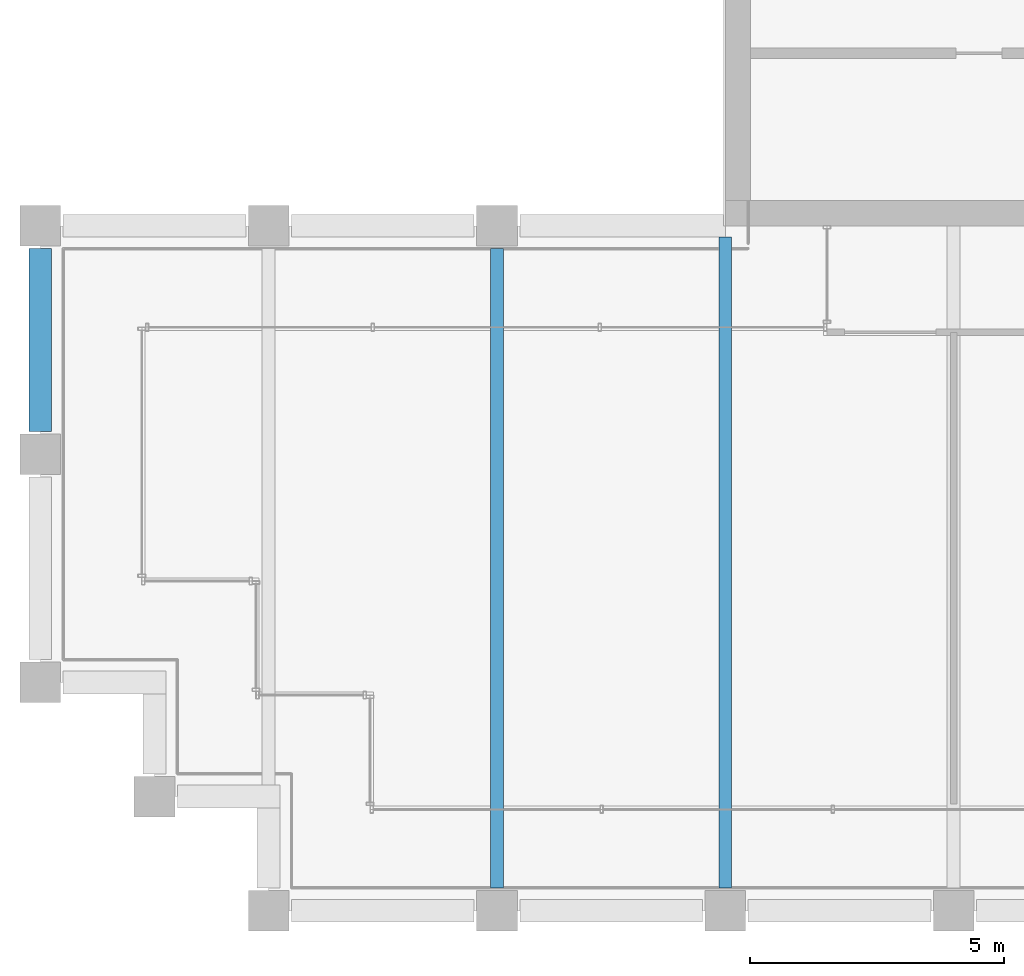
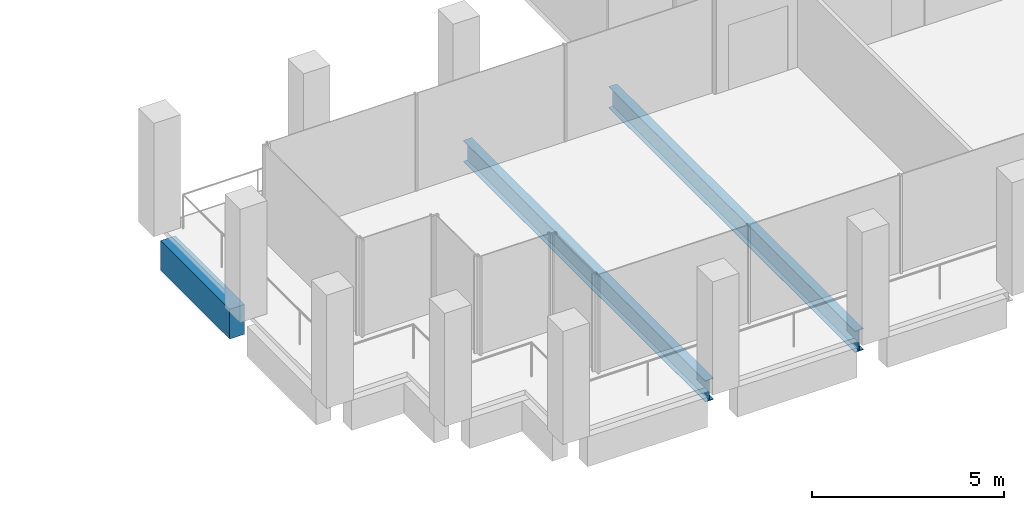
# One storey, part 4 of 40: 3 beams.
"""IFC4 building model written with IfcOpenShell, lengths in metres."""

from ifc_helpers import new_model, si_unit, direction, frame, origin, origin_2d, place, context, subcontext, project, spatial, rectangle, i_section, extrude, material, material_profile, profile_set, type_object, element, save


model = new_model("IFC4")

# Units and contexts
model_context = context("Model", 3, precision=1e-05, world=origin(), true_north=direction((0.0, 1.0)))
body_context = subcontext(model_context, "Body", "Model", "MODEL_VIEW")
ifc_project = project(units=[si_unit("LENGTHUNIT", "METRE"), si_unit("AREAUNIT", "SQUARE_METRE"), si_unit("VOLUMEUNIT", "CUBIC_METRE"), si_unit("PLANEANGLEUNIT", "RADIAN"), si_unit("MASSUNIT", "GRAM", prefix="KILO")], contexts=[model_context])

# Site, building, storey
site_placement = place(None, origin())
site = spatial("IfcSite", under=ifc_project, at=site_placement, CompositionType="ELEMENT")
building_placement = place(site_placement, origin())
building = spatial("IfcBuilding", under=site, at=building_placement, Name="Altepetl Exchange Towers", CompositionType="ELEMENT")
storey_placement = place(building_placement, frame((0.0, 0.0, 195.60009765625)))
storey = spatial("IfcBuildingStorey", under=building, at=storey_placement, Name="L49", CompositionType="ELEMENT", Elevation=195.60009765625)

# Beams
ifc_material_1 = material(Name="Steel S355", Category="steel")
ifc_material_profile_1 = material_profile(ifc_material_1, i_section(OverallWidth=0.2529296875, OverallDepth=0.677978515625, WebThickness=0.01171875, FlangeThickness=0.016357421875, at=origin_2d()), Name="W27X84")
ifc_profile_set_1 = profile_set([ifc_material_profile_1], Name="Steel S355")
beam_type_1 = type_object("IfcBeamType", Name="Floor beam W27X84", PredefinedType="BEAM", material=ifc_profile_set_1)
beam_1_placement = place(storey_placement, frame((36.0, 27.449951171875, -0.489013671875), z_axis=(0.0, 1.0, 0.0), x_axis=(-1.0, 0.0, 0.0)))
element("IfcBeam", 1, at=beam_1_placement, inside=storey, type_object=beam_type_1, Name="bm:A:L49:013", PredefinedType="BEAM", context=body_context, shape_type="SweptSolid", body=[
    extrude(i_section(OverallWidth=0.2529296875, OverallDepth=0.677978515625, WebThickness=0.01171875, FlangeThickness=0.016357421875, at=origin_2d()), origin(), (0.0, 0.0, 1.0), 12.60009765625),
])
beam_2_placement = place(storey_placement, frame((40.5, 27.449951171875, -0.489013671875), z_axis=(0.0, 1.0, 0.0), x_axis=(-1.0, 0.0, 0.0)))
element("IfcBeam", 2, at=beam_2_placement, inside=storey, type_object=beam_type_1, Name="bm:A:L49:014", PredefinedType="BEAM", context=body_context, shape_type="SweptSolid", body=[
    extrude(i_section(OverallWidth=0.2529296875, OverallDepth=0.677978515625, WebThickness=0.01171875, FlangeThickness=0.016357421875, at=origin_2d()), origin(), (0.0, 0.0, 1.0), 12.824951171875),
])
ifc_material_2 = material(Name="Concrete C50/60 precast with cantera blanca facing", Category="concrete")
ifc_material_profile_2 = material_profile(ifc_material_2, rectangle(XDim=0.449951171875, YDim=0.949951171875, at=origin_2d()), Name="450 x 950")
ifc_profile_set_2 = profile_set([ifc_material_profile_2], Name="Concrete C50/60 precast with cantera blanca facing")
beam_type_2 = type_object("IfcBeamType", Name="Spandrel beam 450x950 cantera blanca", PredefinedType="SPANDREL", material=ifc_profile_set_2)
beam_3_placement = place(storey_placement, frame((27.0, 40.050048828125, -0.625), z_axis=(0.0, -1.0, 0.0), x_axis=(1.0, 0.0, 0.0)))
element("IfcBeam", 3, at=beam_3_placement, inside=storey, type_object=beam_type_2, Name="sp:A:L49:036", PredefinedType="SPANDREL", context=body_context, shape_type="SweptSolid", body=[
    extrude(rectangle(XDim=0.449951171875, YDim=0.949951171875, at=origin_2d()), origin(), (0.0, 0.0, 1.0), 3.60009765625),
])

save(model, "model.ifc")
